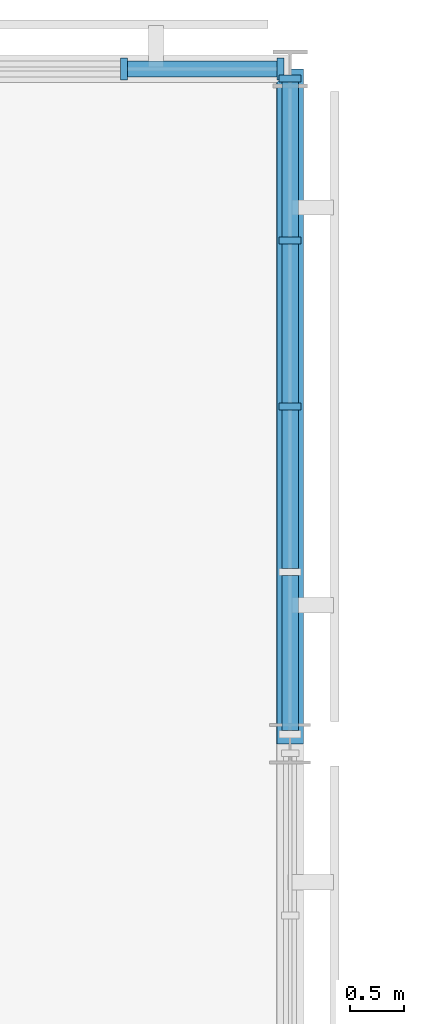
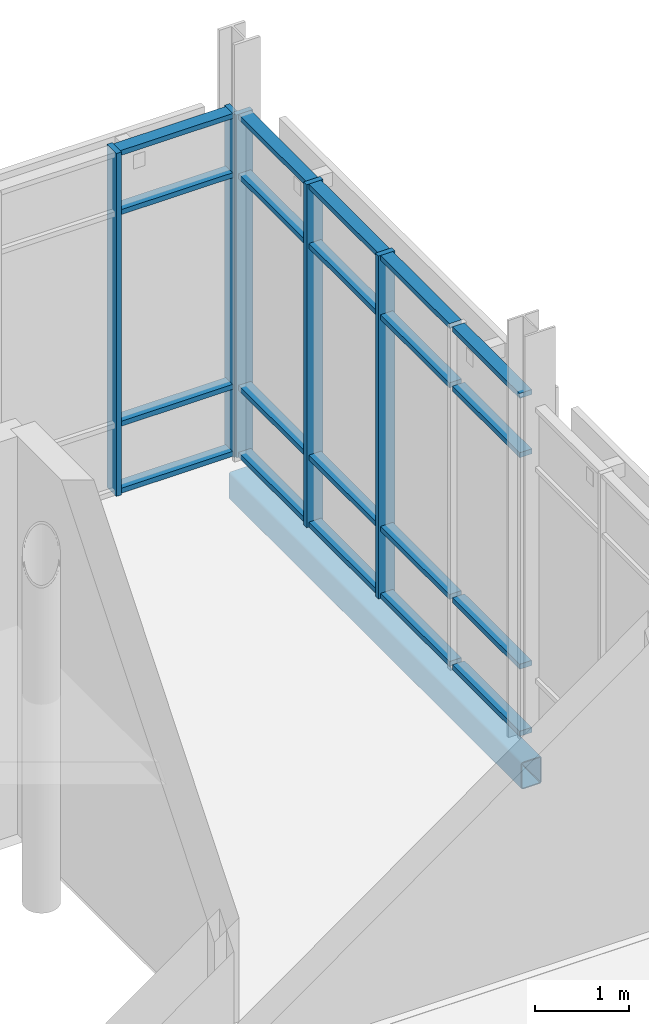
# One storey, part 54 of 105: 25 members, 1 beam, 2 elements without a shape of their own.
"""IFC4 building model written with IfcOpenShell, lengths in metres."""

from ifc_helpers import new_model, si_unit, direction, frame, origin, origin_2d, place, context, subcontext, project, spatial, rectangle, hollow_rectangle, extrude, material, layer, layer_set, material_profile, profile_set, type_object, element, aggregate, save


model = new_model("IFC4")

# Units and contexts
model_context = context("Model", 3, precision=1e-05, world=origin(), true_north=direction((0.0, 1.0)))
body_context = subcontext(model_context, "Body", "Model", "MODEL_VIEW")
ifc_project = project(units=[si_unit("LENGTHUNIT", "METRE"), si_unit("AREAUNIT", "SQUARE_METRE"), si_unit("VOLUMEUNIT", "CUBIC_METRE"), si_unit("PLANEANGLEUNIT", "RADIAN"), si_unit("MASSUNIT", "GRAM", prefix="KILO")], contexts=[model_context])

# Site, building, storey
site_placement = place(None, origin())
site = spatial("IfcSite", under=ifc_project, at=site_placement, CompositionType="ELEMENT")
building_placement = place(site_placement, origin())
building = spatial("IfcBuilding", under=site, at=building_placement, Name="Mirzam Square Science Centre", CompositionType="ELEMENT")
storey_placement = place(building_placement, frame((0.0, 0.0, 5.39990234375)))
storey = spatial("IfcBuildingStorey", under=building, at=storey_placement, Name="L01", CompositionType="ELEMENT", Elevation=5.39990234375)

# Curtain wall, members
ifc_material_1 = material(Name="Anodised Aluminium and Low-E Solar Glass", Category="aluminium")
ifc_layer_1 = layer(ifc_material_1, 0.219970703125)
ifc_layer_set_1 = layer_set([ifc_layer_1], Name="CW-OBS-A")
curtain_wall_type_1 = type_object("IfcCurtainWallType", Name="CW-OBS-A", PredefinedType="USERDEFINED", material=ifc_layer_set_1)
curtain_wall_1_placement = place(storey_placement, origin())
curtain_wall_1 = element("IfcCurtainWall", 1, at=curtain_wall_1_placement, inside=storey, type_object=curtain_wall_type_1, Name="L01 unitised curtain wall 91", ObjectType="UNITISED CURTAIN WALL", PredefinedType="USERDEFINED")
ifc_material_2 = material(Name="Anodised Architectural Aluminium 6063-T6", Category="aluminium")
ifc_material_profile_1 = material_profile(ifc_material_2, rectangle(XDim=0.06494140625, YDim=0.199951171875, at=origin_2d()), Name="ALU-MULL-200x65x5")
ifc_profile_set_1 = profile_set([ifc_material_profile_1], Name="Anodised Architectural Aluminium 6063-T6")
member_type_1 = type_object("IfcMemberType", Name="CWM-200", PredefinedType="MULLION", material=ifc_profile_set_1)
member_1_placement = place(storey_placement, frame((137.91259765625, 111.60009765625, 0.0), z_axis=(0.0, 0.0, 1.0), x_axis=(-1.0, 0.0, 0.0)))
member_1 = element("IfcMember", 2, at=member_1_placement, type_object=member_type_1, Name="CW-07 mullion 1", PredefinedType="MULLION", context=body_context, shape_type="SweptSolid", body=[
    extrude(rectangle(XDim=0.06494140625, YDim=0.199951171875, at=origin_2d()), origin(), (0.0, 0.0, 1.0), 4.440185546875),
])
member_2_placement = place(storey_placement, frame((136.472412109375, 111.60009765625, 0.0), z_axis=(0.0, 0.0, 1.0), x_axis=(-1.0, 0.0, 0.0)))
member_2 = element("IfcMember", 3, at=member_2_placement, type_object=member_type_1, Name="CW-07 mullion 2", PredefinedType="MULLION", context=body_context, shape_type="SweptSolid", body=[
    extrude(rectangle(XDim=0.06494140625, YDim=0.199951171875, at=origin_2d()), origin(), (0.0, 0.0, 1.0), 4.440185546875),
])

ifc_layer_2 = layer(ifc_material_1, 0.179931640625)
ifc_layer_set_2 = layer_set([ifc_layer_2], Name="CW-LINK-A")
curtain_wall_type_2 = type_object("IfcCurtainWallType", Name="CW-LINK-A", PredefinedType="USERDEFINED", material=ifc_layer_set_2)
curtain_wall_2_placement = place(storey_placement, origin())
curtain_wall_2 = element("IfcCurtainWall", 4, at=curtain_wall_2_placement, inside=storey, type_object=curtain_wall_type_2, Name="L01 unitised curtain wall 99", ObjectType="UNITISED CURTAIN WALL", PredefinedType="USERDEFINED")
member_3_placement = place(storey_placement, frame((138.0, 108.5, 0.0), z_axis=(0.0, 0.0, 1.0), x_axis=(0.0, 1.0, 0.0)))
member_3 = element("IfcMember", 5, at=member_3_placement, type_object=member_type_1, Name="CW-08 mullion 3", PredefinedType="MULLION", context=body_context, shape_type="SweptSolid", body=[
    extrude(rectangle(XDim=0.06494140625, YDim=0.199951171875, at=origin_2d()), origin(), (0.0, 0.0, 1.0), 4.440185546875),
])
member_4_placement = place(storey_placement, frame((138.0, 110.0224609375, 0.0), z_axis=(0.0, 0.0, 1.0), x_axis=(0.0, 1.0, 0.0)))
member_4 = element("IfcMember", 6, at=member_4_placement, type_object=member_type_1, Name="CW-08 mullion 4", PredefinedType="MULLION", context=body_context, shape_type="SweptSolid", body=[
    extrude(rectangle(XDim=0.06494140625, YDim=0.199951171875, at=origin_2d()), origin(), (0.0, 0.0, 1.0), 4.440185546875),
])
member_5_placement = place(storey_placement, frame((138.0, 111.512451171875, 0.0), z_axis=(0.0, 0.0, 1.0), x_axis=(0.0, 1.0, 0.0)))
member_5 = element("IfcMember", 7, at=member_5_placement, type_object=member_type_1, Name="CW-08 mullion 5", PredefinedType="MULLION", context=body_context, shape_type="SweptSolid", body=[
    extrude(rectangle(XDim=0.06494140625, YDim=0.199951171875, at=origin_2d()), origin(), (0.0, 0.0, 1.0), 4.440185546875),
])

# Member
ifc_material_profile_2 = material_profile(ifc_material_2, rectangle(XDim=0.14990234375, YDim=0.06494140625, at=origin_2d()), Name="ALU-TRAN-150x65x4")
ifc_profile_set_2 = profile_set([ifc_material_profile_2], Name="Anodised Architectural Aluminium 6063-T6")
member_type_2 = type_object("IfcMemberType", Name="CWT-150", PredefinedType="USERDEFINED", material=ifc_profile_set_2)
member_6_placement = place(storey_placement, frame((137.8798828125, 111.60009765625, 0.03271484375), z_axis=(-1.0, 0.0, 0.0), x_axis=(0.0, -1.0, 0.0)))
member_6 = element("IfcMember", 8, at=member_6_placement, type_object=member_type_2, Name="CW-07 transom 1.1", ObjectType="TRANSOM", PredefinedType="USERDEFINED", context=body_context, shape_type="SweptSolid", body=[
    extrude(rectangle(XDim=0.14990234375, YDim=0.06494140625, at=origin_2d()), origin(), (0.0, 0.0, 1.0), 1.375),
])

member_7_placement = place(storey_placement, frame((137.8798828125, 111.60009765625, 0.900146484375), z_axis=(-1.0, 0.0, 0.0), x_axis=(0.0, -1.0, 0.0)))
member_7 = element("IfcMember", 9, at=member_7_placement, type_object=member_type_2, Name="CW-07 transom 1.2", ObjectType="TRANSOM", PredefinedType="USERDEFINED", context=body_context, shape_type="SweptSolid", body=[
    extrude(rectangle(XDim=0.14990234375, YDim=0.06494140625, at=origin_2d()), origin(), (0.0, 0.0, 1.0), 1.375),
])

member_8_placement = place(storey_placement, frame((137.8798828125, 111.60009765625, 3.64013671875), z_axis=(-1.0, 0.0, 0.0), x_axis=(0.0, -1.0, 0.0)))
member_8 = element("IfcMember", 10, at=member_8_placement, type_object=member_type_2, Name="CW-07 transom 1.3", ObjectType="TRANSOM", PredefinedType="USERDEFINED", context=body_context, shape_type="SweptSolid", body=[
    extrude(rectangle(XDim=0.14990234375, YDim=0.06494140625, at=origin_2d()), origin(), (0.0, 0.0, 1.0), 1.375),
])

member_9_placement = place(storey_placement, frame((137.8798828125, 111.60009765625, 4.40771484375), z_axis=(-1.0, 0.0, 0.0), x_axis=(0.0, -1.0, 0.0)))
member_9 = element("IfcMember", 11, at=member_9_placement, type_object=member_type_2, Name="CW-07 transom 1.4", ObjectType="TRANSOM", PredefinedType="USERDEFINED", context=body_context, shape_type="SweptSolid", body=[
    extrude(rectangle(XDim=0.14990234375, YDim=0.06494140625, at=origin_2d()), origin(), (0.0, 0.0, 1.0), 1.375),
])

aggregate(curtain_wall_1, [member_1, member_2, member_6, member_7, member_8, member_9])

member_10_placement = place(storey_placement, frame((138.0, 105.52001953125, 0.03271484375), z_axis=(0.0, 1.0, 0.0), x_axis=(-1.0, 0.0, 0.0)))
member_10 = element("IfcMember", 12, at=member_10_placement, type_object=member_type_2, Name="CW-08 transom 1.1", ObjectType="TRANSOM", PredefinedType="USERDEFINED", context=body_context, shape_type="SweptSolid", body=[
    extrude(rectangle(XDim=0.14990234375, YDim=0.06494140625, at=origin_2d()), origin(), (0.0, 0.0, 1.0), 1.425048828125),
])

member_11_placement = place(storey_placement, frame((138.0, 105.52001953125, 0.900146484375), z_axis=(0.0, 1.0, 0.0), x_axis=(-1.0, 0.0, 0.0)))
member_11 = element("IfcMember", 13, at=member_11_placement, type_object=member_type_2, Name="CW-08 transom 1.2", ObjectType="TRANSOM", PredefinedType="USERDEFINED", context=body_context, shape_type="SweptSolid", body=[
    extrude(rectangle(XDim=0.14990234375, YDim=0.06494140625, at=origin_2d()), origin(), (0.0, 0.0, 1.0), 1.425048828125),
])

member_12_placement = place(storey_placement, frame((138.0, 105.52001953125, 3.64013671875), z_axis=(0.0, 1.0, 0.0), x_axis=(-1.0, 0.0, 0.0)))
member_12 = element("IfcMember", 14, at=member_12_placement, type_object=member_type_2, Name="CW-08 transom 1.3", ObjectType="TRANSOM", PredefinedType="USERDEFINED", context=body_context, shape_type="SweptSolid", body=[
    extrude(rectangle(XDim=0.14990234375, YDim=0.06494140625, at=origin_2d()), origin(), (0.0, 0.0, 1.0), 1.425048828125),
])

member_13_placement = place(storey_placement, frame((138.0, 105.52001953125, 4.40771484375), z_axis=(0.0, 1.0, 0.0), x_axis=(-1.0, 0.0, 0.0)))
member_13 = element("IfcMember", 15, at=member_13_placement, type_object=member_type_2, Name="CW-08 transom 1.4", ObjectType="TRANSOM", PredefinedType="USERDEFINED", context=body_context, shape_type="SweptSolid", body=[
    extrude(rectangle(XDim=0.14990234375, YDim=0.06494140625, at=origin_2d()), origin(), (0.0, 0.0, 1.0), 1.425048828125),
])

member_14_placement = place(storey_placement, frame((138.0, 107.010009765625, 0.03271484375), z_axis=(0.0, 1.0, 0.0), x_axis=(-1.0, 0.0, 0.0)))
member_14 = element("IfcMember", 16, at=member_14_placement, type_object=member_type_2, Name="CW-08 transom 2.1", ObjectType="TRANSOM", PredefinedType="USERDEFINED", context=body_context, shape_type="SweptSolid", body=[
    extrude(rectangle(XDim=0.14990234375, YDim=0.06494140625, at=origin_2d()), origin(), (0.0, 0.0, 1.0), 1.45751953125),
])

member_15_placement = place(storey_placement, frame((138.0, 107.010009765625, 0.900146484375), z_axis=(0.0, 1.0, 0.0), x_axis=(-1.0, 0.0, 0.0)))
member_15 = element("IfcMember", 17, at=member_15_placement, type_object=member_type_2, Name="CW-08 transom 2.2", ObjectType="TRANSOM", PredefinedType="USERDEFINED", context=body_context, shape_type="SweptSolid", body=[
    extrude(rectangle(XDim=0.14990234375, YDim=0.06494140625, at=origin_2d()), origin(), (0.0, 0.0, 1.0), 1.45751953125),
])

member_16_placement = place(storey_placement, frame((138.0, 107.010009765625, 3.64013671875), z_axis=(0.0, 1.0, 0.0), x_axis=(-1.0, 0.0, 0.0)))
member_16 = element("IfcMember", 18, at=member_16_placement, type_object=member_type_2, Name="CW-08 transom 2.3", ObjectType="TRANSOM", PredefinedType="USERDEFINED", context=body_context, shape_type="SweptSolid", body=[
    extrude(rectangle(XDim=0.14990234375, YDim=0.06494140625, at=origin_2d()), origin(), (0.0, 0.0, 1.0), 1.45751953125),
])

member_17_placement = place(storey_placement, frame((138.0, 107.010009765625, 4.40771484375), z_axis=(0.0, 1.0, 0.0), x_axis=(-1.0, 0.0, 0.0)))
member_17 = element("IfcMember", 19, at=member_17_placement, type_object=member_type_2, Name="CW-08 transom 2.4", ObjectType="TRANSOM", PredefinedType="USERDEFINED", context=body_context, shape_type="SweptSolid", body=[
    extrude(rectangle(XDim=0.14990234375, YDim=0.06494140625, at=origin_2d()), origin(), (0.0, 0.0, 1.0), 1.45751953125),
])

member_18_placement = place(storey_placement, frame((138.0, 108.532470703125, 0.03271484375), z_axis=(0.0, 1.0, 0.0), x_axis=(-1.0, 0.0, 0.0)))
member_18 = element("IfcMember", 20, at=member_18_placement, type_object=member_type_2, Name="CW-08 transom 3.1", ObjectType="TRANSOM", PredefinedType="USERDEFINED", context=body_context, shape_type="SweptSolid", body=[
    extrude(rectangle(XDim=0.14990234375, YDim=0.06494140625, at=origin_2d()), origin(), (0.0, 0.0, 1.0), 1.45751953125),
])

member_19_placement = place(storey_placement, frame((138.0, 108.532470703125, 0.900146484375), z_axis=(0.0, 1.0, 0.0), x_axis=(-1.0, 0.0, 0.0)))
member_19 = element("IfcMember", 21, at=member_19_placement, type_object=member_type_2, Name="CW-08 transom 3.2", ObjectType="TRANSOM", PredefinedType="USERDEFINED", context=body_context, shape_type="SweptSolid", body=[
    extrude(rectangle(XDim=0.14990234375, YDim=0.06494140625, at=origin_2d()), origin(), (0.0, 0.0, 1.0), 1.45751953125),
])

member_20_placement = place(storey_placement, frame((138.0, 108.532470703125, 3.64013671875), z_axis=(0.0, 1.0, 0.0), x_axis=(-1.0, 0.0, 0.0)))
member_20 = element("IfcMember", 22, at=member_20_placement, type_object=member_type_2, Name="CW-08 transom 3.3", ObjectType="TRANSOM", PredefinedType="USERDEFINED", context=body_context, shape_type="SweptSolid", body=[
    extrude(rectangle(XDim=0.14990234375, YDim=0.06494140625, at=origin_2d()), origin(), (0.0, 0.0, 1.0), 1.45751953125),
])

member_21_placement = place(storey_placement, frame((138.0, 108.532470703125, 4.40771484375), z_axis=(0.0, 1.0, 0.0), x_axis=(-1.0, 0.0, 0.0)))
member_21 = element("IfcMember", 23, at=member_21_placement, type_object=member_type_2, Name="CW-08 transom 3.4", ObjectType="TRANSOM", PredefinedType="USERDEFINED", context=body_context, shape_type="SweptSolid", body=[
    extrude(rectangle(XDim=0.14990234375, YDim=0.06494140625, at=origin_2d()), origin(), (0.0, 0.0, 1.0), 1.45751953125),
])

member_22_placement = place(storey_placement, frame((138.0, 110.054931640625, 0.03271484375), z_axis=(0.0, 1.0, 0.0), x_axis=(-1.0, 0.0, 0.0)))
member_22 = element("IfcMember", 24, at=member_22_placement, type_object=member_type_2, Name="CW-08 transom 4.1", ObjectType="TRANSOM", PredefinedType="USERDEFINED", context=body_context, shape_type="SweptSolid", body=[
    extrude(rectangle(XDim=0.14990234375, YDim=0.06494140625, at=origin_2d()), origin(), (0.0, 0.0, 1.0), 1.425048828125),
])

member_23_placement = place(storey_placement, frame((138.0, 110.054931640625, 0.900146484375), z_axis=(0.0, 1.0, 0.0), x_axis=(-1.0, 0.0, 0.0)))
member_23 = element("IfcMember", 25, at=member_23_placement, type_object=member_type_2, Name="CW-08 transom 4.2", ObjectType="TRANSOM", PredefinedType="USERDEFINED", context=body_context, shape_type="SweptSolid", body=[
    extrude(rectangle(XDim=0.14990234375, YDim=0.06494140625, at=origin_2d()), origin(), (0.0, 0.0, 1.0), 1.425048828125),
])

member_24_placement = place(storey_placement, frame((138.0, 110.054931640625, 3.64013671875), z_axis=(0.0, 1.0, 0.0), x_axis=(-1.0, 0.0, 0.0)))
member_24 = element("IfcMember", 26, at=member_24_placement, type_object=member_type_2, Name="CW-08 transom 4.3", ObjectType="TRANSOM", PredefinedType="USERDEFINED", context=body_context, shape_type="SweptSolid", body=[
    extrude(rectangle(XDim=0.14990234375, YDim=0.06494140625, at=origin_2d()), origin(), (0.0, 0.0, 1.0), 1.425048828125),
])

member_25_placement = place(storey_placement, frame((138.0, 110.054931640625, 4.40771484375), z_axis=(0.0, 1.0, 0.0), x_axis=(-1.0, 0.0, 0.0)))
member_25 = element("IfcMember", 27, at=member_25_placement, type_object=member_type_2, Name="CW-08 transom 4.4", ObjectType="TRANSOM", PredefinedType="USERDEFINED", context=body_context, shape_type="SweptSolid", body=[
    extrude(rectangle(XDim=0.14990234375, YDim=0.06494140625, at=origin_2d()), origin(), (0.0, 0.0, 1.0), 1.425048828125),
])

aggregate(curtain_wall_2, [member_3, member_4, member_5, member_10, member_11, member_12, member_13, member_14, member_15, member_16, member_17, member_18, member_19, member_20, member_21, member_22, member_23, member_24, member_25])

# Beam
ifc_material_3 = material(Name="Steel S355", Category="steel")
ifc_material_profile_3 = material_profile(ifc_material_3, hollow_rectangle(XDim=0.25, YDim=0.35009765625, WallThickness=0.012451171875, InnerFilletRadius=0.012451171875, OuterFilletRadius=0.02490234375, at=origin_2d()), Name="350x250x12.5RHS")
ifc_profile_set_3 = profile_set([ifc_material_profile_3], Name="Steel S355")
beam_type = type_object("IfcBeamType", Name="SP-RHS350", PredefinedType="SPANDREL", material=ifc_profile_set_3)
beam_placement = place(storey_placement, frame((138.0, 105.39990234375, -0.4248046875), z_axis=(0.0, 1.0, 0.0), x_axis=(-1.0, 0.0, 0.0)))
element("IfcBeam", 28, at=beam_placement, inside=storey, type_object=beam_type, Name="L01 girder Y24-18", PredefinedType="SPANDREL", context=body_context, shape_type="SweptSolid", body=[
    extrude(hollow_rectangle(XDim=0.25, YDim=0.35009765625, WallThickness=0.012451171875, InnerFilletRadius=0.012451171875, OuterFilletRadius=0.02490234375, at=origin_2d()), origin(), (0.0, 0.0, 1.0), 6.2001953125),
])

save(model, "model.ifc")
